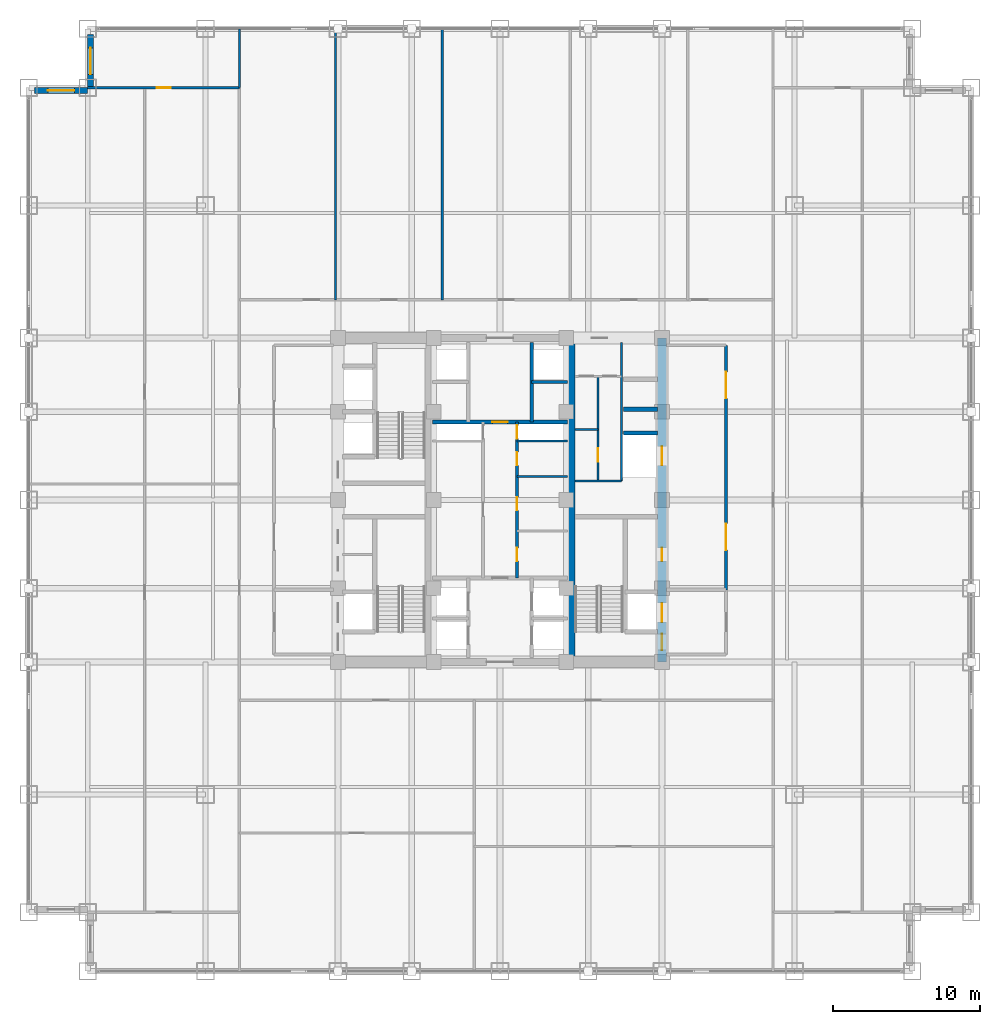
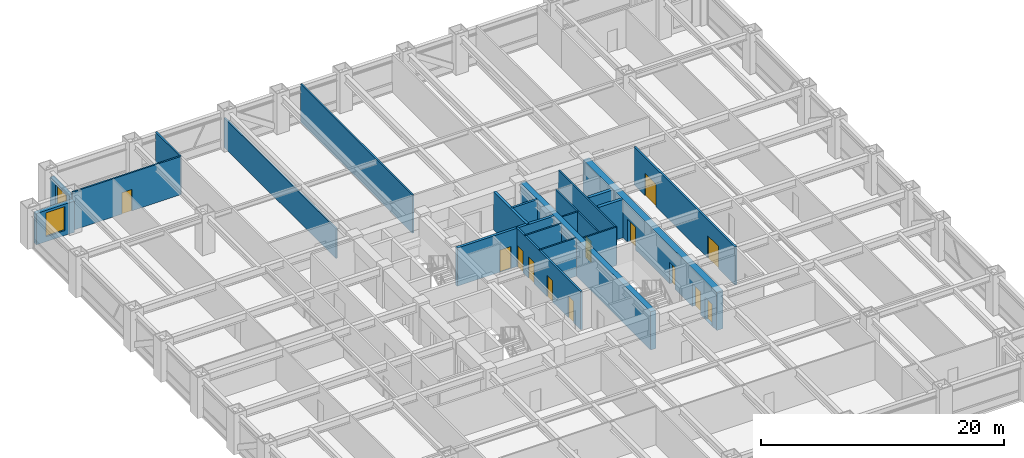
# One storey, part 25 of 27: 21 walls, 13 doors, 2 windows, 15 openings.
"""IFC4 building model written with IfcOpenShell, lengths in metres."""

from ifc_helpers import new_model, si_unit, direction, frame, frame_2d, origin, place, context, subcontext, project, spatial, rectangle, extrude, source, transform, mapped, material, layer, layer_set, type_object, element, fill, save


model = new_model("IFC4")

# Units and contexts
model_context = context("Model", 3, precision=1e-05, world=origin(), true_north=direction((0.0, 1.0)))
body_context = subcontext(model_context, "Body", "Model", "MODEL_VIEW")
ifc_project = project(units=[si_unit("LENGTHUNIT", "METRE"), si_unit("AREAUNIT", "SQUARE_METRE"), si_unit("VOLUMEUNIT", "CUBIC_METRE"), si_unit("PLANEANGLEUNIT", "RADIAN"), si_unit("MASSUNIT", "GRAM", prefix="KILO")], contexts=[model_context])

# Site, building, storey
site_placement = place(None, origin())
site = spatial("IfcSite", under=ifc_project, at=site_placement, CompositionType="ELEMENT")
building_placement = place(site_placement, origin())
building = spatial("IfcBuilding", under=site, at=building_placement, Name="Khorayat Bourse Tower", CompositionType="ELEMENT")
storey_placement = place(building_placement, frame((0.0, 0.0, 140.60009765625)))
storey = spatial("IfcBuildingStorey", under=building, at=storey_placement, Name="L32", CompositionType="ELEMENT", Elevation=140.60009765625)

# Wall, openings, doors
ifc_material_1 = material(Name="Concrete C60/75", Category="concrete")
ifc_layer_1 = layer(ifc_material_1, 0.60009765625)
ifc_layer_set_1 = layer_set([ifc_layer_1], Name="Concrete C60/75")
wall_type_1 = type_object("IfcWallType", Name="WAL-CORE-600", PredefinedType="SHEAR", material=ifc_layer_set_1)
shared_shape_1 = source(origin(), body_context, "Body", "SweptSolid", [
    extrude(rectangle(XDim=22.0, YDim=0.60009765625, at=frame_2d((11.0, 0.0))), origin(), (0.0, 0.0, 1.0), 3.83984375),
])
wall_1_placement = place(storey_placement, frame((11.0, -11.0, 0.0), z_axis=(0.0, 0.0, 1.0), x_axis=(0.0, 1.0, 0.0)))
wall_1 = element("IfcWall", 1, at=wall_1_placement, inside=storey, type_object=wall_type_1, Name="L32 Core Shear Wall CORE-E", PredefinedType="SHEAR", context=body_context, shape_type="MappedRepresentation", body=[
    mapped(shared_shape_1, transform((0.0, 0.0, 0.0), scale=1.0)),
])
shared_shape_2 = source(origin(), body_context, "Body", "SweptSolid", [
    extrude(rectangle(XDim=1.10009765625, YDim=2.199951171875, at=frame_2d((0.550048828125, 1.10009765625))), frame((0.0, 0.31005859375, 0.0), z_axis=(0.0, -1.0, 0.0), x_axis=(1.0, 0.0, 0.0)), (0.0, 0.0, 1.0), 0.6201171875),
])
opening_1_placement = place(wall_1_placement, frame((0.800048828125, 0.0, 0.0)))
opening_1 = element("IfcOpeningElement", 2, at=opening_1_placement, cuts=wall_1, Name="Opening DI-01", PredefinedType="OPENING", context=body_context, shape_type="MappedRepresentation", body=[
    mapped(shared_shape_2, transform((0.0, 0.0, 0.0), scale=1.0)),
])
shared_shape_3 = source(origin(), body_context, "Body", "SweptSolid", [
    extrude(rectangle(XDim=0.89990234375, YDim=2.14990234375, at=frame_2d((0.449951171875, 1.074951171875))), frame((0.0, 0.31005859375, 0.0), z_axis=(0.0, -1.0, 0.0), x_axis=(1.0, 0.0, 0.0)), (0.0, 0.0, 1.0), 0.6201171875),
])
opening_2_placement = place(wall_1_placement, frame((6.85009765625, 0.0, 0.0)))
opening_2 = element("IfcOpeningElement", 3, at=opening_2_placement, cuts=wall_1, Name="Opening DI-06", PredefinedType="OPENING", context=body_context, shape_type="MappedRepresentation", body=[
    mapped(shared_shape_3, transform((0.0, 0.0, 0.0), scale=1.0)),
])
shared_shape_4 = source(origin(), body_context, "Body", "SweptSolid", [
    extrude(rectangle(XDim=1.300048828125, YDim=2.300048828125, at=frame_2d((0.64990234375, 1.14990234375))), frame((0.0, 0.31005859375, 0.0), z_axis=(0.0, -1.0, 0.0), x_axis=(1.0, 0.0, 0.0)), (0.0, 0.0, 1.0), 0.6201171875),
])
opening_3_placement = place(wall_1_placement, frame((2.699951171875, 0.0, 0.0)))
opening_3 = element("IfcOpeningElement", 4, at=opening_3_placement, cuts=wall_1, Name="Opening LD-02", PredefinedType="OPENING", context=body_context, shape_type="MappedRepresentation", body=[
    mapped(shared_shape_4, transform((0.0, 0.0, 0.0), scale=1.0)),
])
opening_4_placement = place(wall_1_placement, frame((13.35009765625, 0.0, 0.0)))
opening_4 = element("IfcOpeningElement", 5, at=opening_4_placement, cuts=wall_1, Name="Opening LD-02", PredefinedType="OPENING", context=body_context, shape_type="MappedRepresentation", body=[
    mapped(shared_shape_4, transform((0.0, 0.0, 0.0), scale=1.0)),
])
ifc_material_2 = material(Name="Fire-rated steel acoustic leaf", Category="steel")
door_type_1 = type_object("IfcDoorType", Name="DR-INT-STAIR-1100", OperationType="NOTDEFINED", PredefinedType="DOOR", material=ifc_material_2)
shared_shape_5 = source(origin(), body_context, "Body", "SweptSolid", [
    extrude(rectangle(XDim=1.10009765625, YDim=2.199951171875, at=frame_2d((0.550048828125, 1.10009765625))), frame((0.0, 0.02490234375, 0.0), z_axis=(0.0, -1.0, 0.0), x_axis=(1.0, 0.0, 0.0)), (0.0, 0.0, 1.0), 0.050048828125),
])
door_1_placement = place(opening_1_placement, origin())
door_1 = element("IfcDoor", 6, at=door_1_placement, inside=storey, type_object=door_type_1, Name="L32 Exit Stair 3 Door", OperationType="SINGLE_SWING_LEFT", OverallHeight=2.199951171875, OverallWidth=1.10009765625, PredefinedType="DOOR", context=body_context, shape_type="MappedRepresentation", body=[
    mapped(shared_shape_5, transform((0.0, 0.0, 0.0), scale=1.0)),
])
fill(opening_1, door_1)
ifc_material_3 = material(Name="Moisture-resistant laminate washroom door")
door_type_2 = type_object("IfcDoorType", Name="DR-INT-WC-900", OperationType="NOTDEFINED", PredefinedType="DOOR", material=ifc_material_3)
shared_shape_6 = source(origin(), body_context, "Body", "SweptSolid", [
    extrude(rectangle(XDim=0.89990234375, YDim=2.14990234375, at=frame_2d((0.449951171875, 1.074951171875))), frame((0.0, 0.02490234375, 0.0), z_axis=(0.0, -1.0, 0.0), x_axis=(1.0, 0.0, 0.0)), (0.0, 0.0, 1.0), 0.050048828125),
])
door_2_placement = place(opening_2_placement, origin())
door_2 = element("IfcDoor", 7, at=door_2_placement, inside=storey, type_object=door_type_2, Name="L32 Telecom Server Plant Room Door", OperationType="SINGLE_SWING_LEFT", OverallHeight=2.14990234375, OverallWidth=0.89990234375, PredefinedType="DOOR", context=body_context, shape_type="MappedRepresentation", body=[
    mapped(shared_shape_6, transform((0.0, 0.0, 0.0), scale=1.0)),
])
fill(opening_2, door_2)
ifc_material_4 = material(Name="Fire-rated stainless-steel sliding landing door", Category="steel")
door_type_3 = type_object("IfcDoorType", Name="DR-LIFT-FF-1300", OperationType="NOTDEFINED", PredefinedType="DOOR", material=ifc_material_4)
shared_shape_7 = source(origin(), body_context, "Body", "SweptSolid", [
    extrude(rectangle(XDim=1.300048828125, YDim=2.300048828125, at=frame_2d((0.64990234375, 1.14990234375))), frame((0.0, 0.02490234375, 0.0), z_axis=(0.0, -1.0, 0.0), x_axis=(1.0, 0.0, 0.0)), (0.0, 0.0, 1.0), 0.050048828125),
])
door_3_placement = place(opening_3_placement, origin())
door_3 = element("IfcDoor", 8, at=door_3_placement, inside=storey, type_object=door_type_3, Name="L32 Lift FFL-02 Sliding Landing Door", OperationType="SLIDING_TO_LEFT", OverallHeight=2.300048828125, OverallWidth=1.300048828125, PredefinedType="DOOR", context=body_context, shape_type="MappedRepresentation", body=[
    mapped(shared_shape_7, transform((0.0, 0.0, 0.0), scale=1.0)),
])
fill(opening_3, door_3)
door_4_placement = place(opening_4_placement, origin())
door_4 = element("IfcDoor", 9, at=door_4_placement, inside=storey, type_object=door_type_3, Name="L32 Lift SVL-01 Sliding Landing Door", OperationType="SLIDING_TO_LEFT", OverallHeight=2.300048828125, OverallWidth=1.300048828125, PredefinedType="DOOR", context=body_context, shape_type="MappedRepresentation", body=[
    mapped(shared_shape_7, transform((0.0, 0.0, 0.0), scale=1.0)),
])
fill(opening_4, door_4)

# Wall
ifc_material_5 = material(Name="Concrete C52/65", Category="concrete")
ifc_layer_2 = layer(ifc_material_5, 0.5)
ifc_layer_set_2 = layer_set([ifc_layer_2], Name="Concrete C52/65")
wall_type_2 = type_object("IfcWallType", Name="WAL-CORE-500", PredefinedType="SHEAR", material=ifc_layer_set_2)
shared_shape_8 = source(origin(), body_context, "Body", "SweptSolid", [
    extrude(rectangle(XDim=21.39990234375, YDim=0.5, at=frame_2d((10.699951171875, 0.0))), origin(), (0.0, 0.0, 1.0), 3.83984375),
])
wall_2_placement = place(storey_placement, frame((4.85009765625, -10.699951171875, 0.0), z_axis=(0.0, 0.0, 1.0), x_axis=(0.0, 1.0, 0.0)))
element("IfcWall", 10, at=wall_2_placement, inside=storey, type_object=wall_type_2, Name="L32 Core Shear Wall PIER-E", PredefinedType="SHEAR", context=body_context, shape_type="MappedRepresentation", body=[
    mapped(shared_shape_8, transform((0.0, 0.0, 0.0), scale=1.0)),
])

# Wall, opening, window
ifc_material_6 = material(Name="Precast concrete C45/55", Category="concrete")
ifc_layer_3 = layer(ifc_material_6, 0.3798828125)
ifc_layer_set_3 = layer_set([ifc_layer_3], Name="Precast concrete C45/55")
wall_type_3 = type_object("IfcWallType", Name="WAL-EXT-STONE-380", PredefinedType="STANDARD", material=ifc_layer_set_3)
shared_shape_9 = source(origin(), body_context, "Body", "SweptSolid", [
    extrude(rectangle(XDim=3.6201171875, YDim=0.3798828125, at=frame_2d((1.81005859375, 0.0))), origin(), (0.0, 0.0, 1.0), 3.14501953125),
])
wall_3_placement = place(storey_placement, frame((-27.81005859375, 28.0, 0.0), z_axis=(0.0, 0.0, 1.0), x_axis=(0.0, 1.0, 0.0)))
wall_3 = element("IfcWall", 11, at=wall_3_placement, inside=storey, type_object=wall_type_3, Name="L32 Re-Entrant Notch Limestone Wall NW-V", PredefinedType="STANDARD", context=body_context, shape_type="MappedRepresentation", body=[
    mapped(shared_shape_9, transform((0.0, 0.0, 0.0), scale=1.0)),
])
shared_shape_10 = source(origin(), body_context, "Body", "SweptSolid", [
    extrude(rectangle(XDim=1.800048828125, YDim=2.39990234375, at=frame_2d((0.89990234375, 1.199951171875))), frame((0.0, 0.199951171875, 0.0), z_axis=(0.0, -1.0, 0.0), x_axis=(1.0, 0.0, 0.0)), (0.0, 0.0, 1.0), 0.39990234375),
])
opening_5_placement = place(wall_3_placement, frame((0.909912109375, 0.0, 0.5)))
opening_5 = element("IfcOpeningElement", 12, at=opening_5_placement, cuts=wall_3, Name="Opening WN-04", PredefinedType="OPENING", context=body_context, shape_type="MappedRepresentation", body=[
    mapped(shared_shape_10, transform((0.0, 0.0, 0.0), scale=1.0)),
])
ifc_material_7 = material(Name="Low-E acoustic laminated double glazing", Category="glass")
window_type = type_object("IfcWindowType", Name="WIN-NOTCH-1800x2400", PartitioningType="SINGLE_PANEL", PredefinedType="WINDOW", material=ifc_material_7)
shared_shape_11 = source(origin(), body_context, "Body", "SweptSolid", [
    extrude(rectangle(XDim=1.800048828125, YDim=2.39990234375, at=frame_2d((0.89990234375, 1.199951171875))), frame((0.0, 0.030029296875, 0.0), z_axis=(0.0, -1.0, 0.0), x_axis=(1.0, 0.0, 0.0)), (0.0, 0.0, 1.0), 0.06005859375),
])
window_1_placement = place(opening_5_placement, origin())
window_1 = element("IfcWindow", 13, at=window_1_placement, inside=storey, type_object=window_type, Name="L32 Facade Window 1", OverallHeight=2.39990234375, OverallWidth=1.800048828125, PartitioningType="SINGLE_PANEL", PredefinedType="WINDOW", context=body_context, shape_type="MappedRepresentation", body=[
    mapped(shared_shape_11, transform((0.0, 0.0, 0.0), scale=1.0)),
])
fill(opening_5, window_1)

wall_4_placement = place(storey_placement, frame((-28.0, 27.81005859375, 0.0), z_axis=(0.0, 0.0, 1.0), x_axis=(-1.0, 0.0, 0.0)))
wall_4 = element("IfcWall", 14, at=wall_4_placement, inside=storey, type_object=wall_type_3, Name="L32 Re-Entrant Notch Limestone Wall NW-H", PredefinedType="STANDARD", context=body_context, shape_type="MappedRepresentation", body=[
    mapped(shared_shape_9, transform((0.0, 0.0, 0.0), scale=1.0)),
])
opening_6_placement = place(wall_4_placement, frame((0.909912109375, 0.0, 0.5)))
opening_6 = element("IfcOpeningElement", 15, at=opening_6_placement, cuts=wall_4, Name="Opening WN-04", PredefinedType="OPENING", context=body_context, shape_type="MappedRepresentation", body=[
    mapped(shared_shape_10, transform((0.0, 0.0, 0.0), scale=1.0)),
])
window_2_placement = place(opening_6_placement, origin())
window_2 = element("IfcWindow", 16, at=window_2_placement, inside=storey, type_object=window_type, Name="L32 Facade Window 1", OverallHeight=2.39990234375, OverallWidth=1.800048828125, PartitioningType="SINGLE_PANEL", PredefinedType="WINDOW", context=body_context, shape_type="MappedRepresentation", body=[
    mapped(shared_shape_11, transform((0.0, 0.0, 0.0), scale=1.0)),
])
fill(opening_6, window_2)

# Walls
ifc_material_8 = material(Name="Concrete C50/60", Category="concrete")
ifc_layer_4 = layer(ifc_material_8, 0.300048828125)
ifc_layer_set_4 = layer_set([ifc_layer_4], Name="Concrete C50/60")
wall_type_4 = type_object("IfcWallType", Name="WAL-SHAFT-300", PredefinedType="SHEAR", material=ifc_layer_set_4)
shared_shape_12 = source(origin(), body_context, "Body", "SweptSolid", [
    extrude(rectangle(XDim=2.300048828125, YDim=0.300048828125, at=frame_2d((1.14990234375, 0.0))), origin(), (0.0, 0.0, 1.0), 3.83984375),
])
for number, where, z_axis, x_axis, name in (
    (17, (8.39990234375, 4.550048828125, 0.0), (0.0, 0.0, 1.0), (1.0, 0.0, 0.0), "L32 Partition WAL-L32-EPIER-SVLN"),
    (18, (8.39990234375, 6.14990234375, 0.0), (0.0, 0.0, 1.0), (1.0, 0.0, 0.0), "L32 Partition WAL-L32-EPIER-H3S"),
):
    element("IfcWall", number, at=place(storey_placement, frame(where, z_axis=z_axis, x_axis=x_axis)), inside=storey, type_object=wall_type_4, Name=name, PredefinedType="SHEAR", context=body_context, shape_type="MappedRepresentation", body=[
        mapped(shared_shape_12, transform((0.0, 0.0, 0.0), scale=1.0)),
    ])
ifc_material_9 = material(Name="Moisture-resistant masonry partition", Category="masonry")
ifc_layer_5 = layer(ifc_material_9, 0.139892578125)
ifc_layer_set_5 = layer_set([ifc_layer_5], Name="Moisture-resistant masonry partition")
wall_type_5 = type_object("IfcWallType", Name="WAL-PART-WET-140", PredefinedType="PARTITIONING", material=ifc_layer_set_5)
shared_shape_13 = source(origin(), body_context, "Body", "SweptSolid", [
    extrude(rectangle(XDim=9.39990234375, YDim=0.139892578125, at=frame_2d((4.699951171875, 0.0))), origin(), (0.0, 0.0, 1.0), 3.83984375),
])
wall_5_placement = place(storey_placement, frame((8.25, 1.300048828125, 0.0), z_axis=(0.0, 0.0, 1.0), x_axis=(0.0, 1.0, 0.0)))
element("IfcWall", 19, at=wall_5_placement, inside=storey, type_object=wall_type_5, Name="L32 Partition WAL-L32-ECORE-E", PredefinedType="PARTITIONING", context=body_context, shape_type="MappedRepresentation", body=[
    mapped(shared_shape_13, transform((0.0, 0.0, 0.0), scale=1.0)),
])
shared_shape_14 = source(origin(), body_context, "Body", "SweptSolid", [
    extrude(rectangle(XDim=3.14990234375, YDim=0.139892578125, at=frame_2d((1.574951171875, 0.0))), origin(), (0.0, 0.0, 1.0), 3.83984375),
])
wall_6_placement = place(storey_placement, frame((5.10009765625, 1.300048828125, 0.0), z_axis=(0.0, 0.0, 1.0), x_axis=(1.0, 0.0, 0.0)))
element("IfcWall", 20, at=wall_6_placement, inside=storey, type_object=wall_type_5, Name="L32 Partition WAL-L32-ECORE-S", PredefinedType="PARTITIONING", context=body_context, shape_type="MappedRepresentation", body=[
    mapped(shared_shape_14, transform((0.0, 0.0, 0.0), scale=1.0)),
])

# Wall, opening, door
shared_shape_15 = source(origin(), body_context, "Body", "SweptSolid", [
    extrude(rectangle(XDim=7.099853515625, YDim=0.139892578125, at=frame_2d((3.5498046875, 0.0))), origin(), (0.0, 0.0, 1.0), 3.83984375),
])
wall_7_placement = place(storey_placement, frame((6.64990234375, 1.300048828125, 0.0), z_axis=(0.0, 0.0, 1.0), x_axis=(0.0, 1.0, 0.0)))
wall_7 = element("IfcWall", 21, at=wall_7_placement, inside=storey, type_object=wall_type_5, Name="L32 Partition WAL-L32-ECW-MID", PredefinedType="PARTITIONING", context=body_context, shape_type="MappedRepresentation", body=[
    mapped(shared_shape_15, transform((0.0, 0.0, 0.0), scale=1.0)),
])
shared_shape_16 = source(origin(), body_context, "Body", "SweptSolid", [
    extrude(rectangle(XDim=0.89990234375, YDim=2.14990234375, at=frame_2d((0.449951171875, 1.074951171875))), frame((0.0, 0.079833984375, 0.0), z_axis=(0.0, -1.0, 0.0), x_axis=(1.0, 0.0, 0.0)), (0.0, 0.0, 1.0), 0.159912109375),
])
opening_7_placement = place(wall_7_placement, frame((1.300048828125, 0.0, 0.0)))
opening_7 = element("IfcOpeningElement", 22, at=opening_7_placement, cuts=wall_7, Name="Opening DI-06", PredefinedType="OPENING", context=body_context, shape_type="MappedRepresentation", body=[
    mapped(shared_shape_16, transform((0.0, 0.0, 0.0), scale=1.0)),
])
door_5_placement = place(opening_7_placement, origin())
door_5 = element("IfcDoor", 23, at=door_5_placement, inside=storey, type_object=door_type_2, Name="L32 Janitor Store Door", OperationType="SINGLE_SWING_LEFT", OverallHeight=2.14990234375, OverallWidth=0.89990234375, PredefinedType="DOOR", context=body_context, shape_type="MappedRepresentation", body=[
    mapped(shared_shape_6, transform((0.0, 0.0, 0.0), scale=1.0)),
])
fill(opening_7, door_5)

# Wall
shared_shape_17 = source(origin(), body_context, "Body", "SweptSolid", [
    extrude(rectangle(XDim=1.5498046875, YDim=0.139892578125, at=frame_2d((0.77490234375, 0.0))), origin(), (0.0, 0.0, 1.0), 3.83984375),
])
wall_8_placement = place(storey_placement, frame((5.10009765625, 4.800048828125, 0.0), z_axis=(0.0, 0.0, 1.0), x_axis=(1.0, 0.0, 0.0)))
element("IfcWall", 24, at=wall_8_placement, inside=storey, type_object=wall_type_5, Name="L32 Partition WAL-L32-ECW-BOT", PredefinedType="PARTITIONING", context=body_context, shape_type="MappedRepresentation", body=[
    mapped(shared_shape_17, transform((0.0, 0.0, 0.0), scale=1.0)),
])

# Wall, openings, doors
ifc_material_10 = material(Name="Gypsum plasterboard acoustic stud wall")
ifc_layer_6 = layer(ifc_material_10, 0.179931640625)
ifc_layer_set_6 = layer_set([ifc_layer_6], Name="Gypsum plasterboard acoustic stud wall")
wall_type_6 = type_object("IfcWallType", Name="WAL-PART-CORR-180", PredefinedType="PARTITIONING", material=ifc_layer_set_6)
shared_shape_18 = source(origin(), body_context, "Body", "SweptSolid", [
    extrude(rectangle(XDim=16.60009765625, YDim=0.179931640625, at=frame_2d((8.300048828125, 0.0))), origin(), (0.0, 0.0, 1.0), 3.83984375),
])
wall_9_placement = place(storey_placement, frame((15.35009765625, -6.10009765625, 0.0), z_axis=(0.0, 0.0, 1.0), x_axis=(0.0, 1.0, 0.0)))
wall_9 = element("IfcWall", 25, at=wall_9_placement, inside=storey, type_object=wall_type_6, Name="L32 Partition WAL-L32-ELOB-E", PredefinedType="PARTITIONING", context=body_context, shape_type="MappedRepresentation", body=[
    mapped(shared_shape_18, transform((0.0, 0.0, 0.0), scale=1.0)),
])
shared_shape_19 = source(origin(), body_context, "Body", "SweptSolid", [
    extrude(rectangle(XDim=1.800048828125, YDim=2.25, at=frame_2d((0.89990234375, 1.125))), frame((0.0, 0.099853515625, 0.0), z_axis=(0.0, -1.0, 0.0), x_axis=(1.0, 0.0, 0.0)), (0.0, 0.0, 1.0), 0.199951171875),
])
opening_8_placement = place(wall_9_placement, frame((2.699951171875, 0.0, 0.0)))
opening_8 = element("IfcOpeningElement", 26, at=opening_8_placement, cuts=wall_9, Name="Opening DI-03", PredefinedType="OPENING", context=body_context, shape_type="MappedRepresentation", body=[
    mapped(shared_shape_19, transform((0.0, 0.0, 0.0), scale=1.0)),
])
opening_9_placement = place(wall_9_placement, frame((13.0, 0.0, 0.0)))
opening_9 = element("IfcOpeningElement", 27, at=opening_9_placement, cuts=wall_9, Name="Opening DI-03", PredefinedType="OPENING", context=body_context, shape_type="MappedRepresentation", body=[
    mapped(shared_shape_19, transform((0.0, 0.0, 0.0), scale=1.0)),
])
ifc_material_11 = material(Name="Fire-rated hardwood vision-panel double leaf", Category="wood")
door_type_4 = type_object("IfcDoorType", Name="DR-INT-CORR-1800", OperationType="NOTDEFINED", PredefinedType="DOOR", material=ifc_material_11)
shared_shape_20 = source(origin(), body_context, "Body", "SweptSolid", [
    extrude(rectangle(XDim=1.800048828125, YDim=2.25, at=frame_2d((0.89990234375, 1.125))), frame((0.0, 0.02490234375, 0.0), z_axis=(0.0, -1.0, 0.0), x_axis=(1.0, 0.0, 0.0)), (0.0, 0.0, 1.0), 0.050048828125),
])
door_6_placement = place(opening_8_placement, origin())
door_6 = element("IfcDoor", 28, at=door_6_placement, inside=storey, type_object=door_type_4, Name="L32 East Core Lobby South Door", OperationType="SINGLE_SWING_RIGHT", OverallHeight=2.25, OverallWidth=1.800048828125, PredefinedType="DOOR", context=body_context, shape_type="MappedRepresentation", body=[
    mapped(shared_shape_20, transform((0.0, 0.0, 0.0), scale=1.0)),
])
fill(opening_8, door_6)
door_7_placement = place(opening_9_placement, origin())
door_7 = element("IfcDoor", 29, at=door_7_placement, inside=storey, type_object=door_type_4, Name="L32 East Core Lobby North Door", OperationType="SINGLE_SWING_LEFT", OverallHeight=2.25, OverallWidth=1.800048828125, PredefinedType="DOOR", context=body_context, shape_type="MappedRepresentation", body=[
    mapped(shared_shape_20, transform((0.0, 0.0, 0.0), scale=1.0)),
])
fill(opening_9, door_7)

# Walls
ifc_material_12 = material(Name="Gypsum plasterboard twin-frame partition")
ifc_layer_7 = layer(ifc_material_12, 0.14990234375)
ifc_layer_set_7 = layer_set([ifc_layer_7], Name="Gypsum plasterboard twin-frame partition")
wall_type_7 = type_object("IfcWallType", Name="WAL-PART-SUITE-150", PredefinedType="PARTITIONING", material=ifc_layer_set_7)
shared_shape_21 = source(origin(), body_context, "Body", "SweptSolid", [
    extrude(rectangle(XDim=3.4501953125, YDim=0.14990234375, at=frame_2d((1.72509765625, 0.0))), origin(), (0.0, 0.0, 1.0), 3.83984375),
])
wall_10_placement = place(storey_placement, frame((1.14990234375, 4.0, 0.0), z_axis=(0.0, 0.0, 1.0), x_axis=(1.0, 0.0, 0.0)))
element("IfcWall", 30, at=wall_10_placement, inside=storey, type_object=wall_type_7, Name="L32 Partition WAL-L32-CRSE-S", PredefinedType="PARTITIONING", context=body_context, shape_type="MappedRepresentation", body=[
    mapped(shared_shape_21, transform((0.0, 0.0, 0.0), scale=1.0)),
])
shared_shape_22 = source(origin(), body_context, "Body", "SweptSolid", [
    extrude(rectangle(XDim=5.39990234375, YDim=0.25, at=frame_2d((2.699951171875, 0.0))), origin(), (0.0, 0.0, 1.0), 3.83984375),
])
wall_11_placement = place(storey_placement, frame((2.14990234375, 5.300048828125, 0.0), z_axis=(0.0, 0.0, 1.0), x_axis=(0.0, 1.0, 0.0)))
element("IfcWall", 31, at=wall_11_placement, inside=storey, type_object=wall_type_4, Name="L32 Partition WAL-L32-B2-E", PredefinedType="SHEAR", context=body_context, shape_type="MappedRepresentation", body=[
    mapped(shared_shape_22, transform((0.0, 0.0, 0.0), scale=1.0)),
])
shared_shape_23 = source(origin(), body_context, "Body", "SweptSolid", [
    extrude(rectangle(XDim=2.4501953125, YDim=0.199951171875, at=frame_2d((1.22509765625, 0.0))), origin(), (0.0, 0.0, 1.0), 3.83984375),
])
wall_12_placement = place(storey_placement, frame((2.14990234375, 8.0, 0.0), z_axis=(0.0, 0.0, 1.0), x_axis=(1.0, 0.0, 0.0)))
element("IfcWall", 32, at=wall_12_placement, inside=storey, type_object=wall_type_4, Name="L32 Partition WAL-L32-B2-ME", PredefinedType="SHEAR", context=body_context, shape_type="MappedRepresentation", body=[
    mapped(shared_shape_23, transform((0.0, 0.0, 0.0), scale=1.0)),
])

# Wall, opening, door
shared_shape_24 = source(origin(), body_context, "Body", "SweptSolid", [
    extrude(rectangle(XDim=9.2001953125, YDim=0.25, at=frame_2d((4.60009765625, 0.0))), origin(), (0.0, 0.0, 1.0), 3.83984375),
])
wall_13_placement = place(storey_placement, frame((-4.60009765625, 5.300048828125, 0.0), z_axis=(0.0, 0.0, 1.0), x_axis=(1.0, 0.0, 0.0)))
wall_13 = element("IfcWall", 33, at=wall_13_placement, inside=storey, type_object=wall_type_4, Name="L32 Partition WAL-L32-B2-S", PredefinedType="SHEAR", context=body_context, shape_type="MappedRepresentation", body=[
    mapped(shared_shape_24, transform((0.0, 0.0, 0.0), scale=1.0)),
])
shared_shape_25 = source(origin(), body_context, "Body", "SweptSolid", [
    extrude(rectangle(XDim=1.050048828125, YDim=2.199951171875, at=frame_2d((0.52490234375, 1.10009765625))), frame((0.0, 0.135009765625, 0.0), z_axis=(0.0, -1.0, 0.0), x_axis=(1.0, 0.0, 0.0)), (0.0, 0.0, 1.0), 0.27001953125),
])
opening_10_placement = place(wall_13_placement, frame((4.074951171875, 0.0, 0.0)))
opening_10 = element("IfcOpeningElement", 34, at=opening_10_placement, cuts=wall_13, Name="Opening DI-04", PredefinedType="OPENING", context=body_context, shape_type="MappedRepresentation", body=[
    mapped(shared_shape_25, transform((0.0, 0.0, 0.0), scale=1.0)),
])
ifc_material_13 = material(Name="Fire-rated oak veneer suite entrance door")
door_type_5 = type_object("IfcDoorType", Name="DR-INT-SUITE-1050", OperationType="NOTDEFINED", PredefinedType="DOOR", material=ifc_material_13)
shared_shape_26 = source(origin(), body_context, "Body", "SweptSolid", [
    extrude(rectangle(XDim=1.050048828125, YDim=2.199951171875, at=frame_2d((0.52490234375, 1.10009765625))), frame((0.0, 0.02490234375, 0.0), z_axis=(0.0, -1.0, 0.0), x_axis=(1.0, 0.0, 0.0)), (0.0, 0.0, 1.0), 0.050048828125),
])
door_8_placement = place(opening_10_placement, origin())
door_8 = element("IfcDoor", 35, at=door_8_placement, inside=storey, type_object=door_type_5, Name="L32 Core Spine North Door", OperationType="SINGLE_SWING_RIGHT", OverallHeight=2.199951171875, OverallWidth=1.050048828125, PredefinedType="DOOR", context=body_context, shape_type="MappedRepresentation", body=[
    mapped(shared_shape_26, transform((0.0, 0.0, 0.0), scale=1.0)),
])
fill(opening_10, door_8)

# Wall, openings, doors
shared_shape_27 = source(origin(), body_context, "Body", "SweptSolid", [
    extrude(rectangle(XDim=10.60009765625, YDim=0.179931640625, at=frame_2d((5.300048828125, 0.0))), origin(), (0.0, 0.0, 1.0), 3.83984375),
])
wall_14_placement = place(storey_placement, frame((1.14990234375, -5.300048828125, 0.0), z_axis=(0.0, 0.0, 1.0), x_axis=(0.0, 1.0, 0.0)))
wall_14 = element("IfcWall", 36, at=wall_14_placement, inside=storey, type_object=wall_type_6, Name="L32 Partition WAL-L32-CME-L", PredefinedType="PARTITIONING", context=body_context, shape_type="MappedRepresentation", body=[
    mapped(shared_shape_27, transform((0.0, 0.0, 0.0), scale=1.0)),
])
shared_shape_28 = source(origin(), body_context, "Body", "SweptSolid", [
    extrude(rectangle(XDim=0.89990234375, YDim=2.14990234375, at=frame_2d((0.449951171875, 1.074951171875))), frame((0.0, 0.099853515625, 0.0), z_axis=(0.0, -1.0, 0.0), x_axis=(1.0, 0.0, 0.0)), (0.0, 0.0, 1.0), 0.199951171875),
])
opening_11_placement = place(wall_14_placement, frame((1.14990234375, 0.0, 0.0)))
opening_11 = element("IfcOpeningElement", 37, at=opening_11_placement, cuts=wall_14, Name="Opening DI-06", PredefinedType="OPENING", context=body_context, shape_type="MappedRepresentation", body=[
    mapped(shared_shape_28, transform((0.0, 0.0, 0.0), scale=1.0)),
])
opening_12_placement = place(wall_14_placement, frame((4.60009765625, 0.0, 0.0)))
opening_12 = element("IfcOpeningElement", 38, at=opening_12_placement, cuts=wall_14, Name="Opening DI-06", PredefinedType="OPENING", context=body_context, shape_type="MappedRepresentation", body=[
    mapped(shared_shape_28, transform((0.0, 0.0, 0.0), scale=1.0)),
])
opening_13_placement = place(wall_14_placement, frame((7.64990234375, 0.0, 0.0)))
opening_13 = element("IfcOpeningElement", 39, at=opening_13_placement, cuts=wall_14, Name="Opening DI-06", PredefinedType="OPENING", context=body_context, shape_type="MappedRepresentation", body=[
    mapped(shared_shape_28, transform((0.0, 0.0, 0.0), scale=1.0)),
])
opening_14_placement = place(wall_14_placement, frame((9.47509765625, 0.0, 0.0)))
opening_14 = element("IfcOpeningElement", 40, at=opening_14_placement, cuts=wall_14, Name="Opening DI-06", PredefinedType="OPENING", context=body_context, shape_type="MappedRepresentation", body=[
    mapped(shared_shape_28, transform((0.0, 0.0, 0.0), scale=1.0)),
])
door_9_placement = place(opening_11_placement, origin())
door_9 = element("IfcDoor", 41, at=door_9_placement, inside=storey, type_object=door_type_2, Name="L32 Female Core Washroom Door", OperationType="SINGLE_SWING_RIGHT", OverallHeight=2.14990234375, OverallWidth=0.89990234375, PredefinedType="DOOR", context=body_context, shape_type="MappedRepresentation", body=[
    mapped(shared_shape_6, transform((0.0, 0.0, 0.0), scale=1.0)),
])
fill(opening_11, door_9)
door_10_placement = place(opening_12_placement, origin())
door_10 = element("IfcDoor", 42, at=door_10_placement, inside=storey, type_object=door_type_2, Name="L32 Cleaners Store Door", OperationType="SINGLE_SWING_LEFT", OverallHeight=2.14990234375, OverallWidth=0.89990234375, PredefinedType="DOOR", context=body_context, shape_type="MappedRepresentation", body=[
    mapped(shared_shape_6, transform((0.0, 0.0, 0.0), scale=1.0)),
])
fill(opening_12, door_10)
door_11_placement = place(opening_13_placement, origin())
door_11 = element("IfcDoor", 43, at=door_11_placement, inside=storey, type_object=door_type_2, Name="L32 Meter and BMS Plant Room Door", OperationType="SINGLE_SWING_RIGHT", OverallHeight=2.14990234375, OverallWidth=0.89990234375, PredefinedType="DOOR", context=body_context, shape_type="MappedRepresentation", body=[
    mapped(shared_shape_6, transform((0.0, 0.0, 0.0), scale=1.0)),
])
fill(opening_13, door_11)
door_12_placement = place(opening_14_placement, origin())
door_12 = element("IfcDoor", 44, at=door_12_placement, inside=storey, type_object=door_type_2, Name="L32 East Core Riser Door", OperationType="SINGLE_SWING_RIGHT", OverallHeight=2.14990234375, OverallWidth=0.89990234375, PredefinedType="DOOR", context=body_context, shape_type="MappedRepresentation", body=[
    mapped(shared_shape_6, transform((0.0, 0.0, 0.0), scale=1.0)),
])
fill(opening_14, door_12)

# Walls
shared_shape_29 = source(origin(), body_context, "Body", "SweptSolid", [
    extrude(rectangle(XDim=3.4501953125, YDim=0.139892578125, at=frame_2d((1.72509765625, 0.0))), origin(), (0.0, 0.0, 1.0), 3.83984375),
])
wall_15_placement = place(storey_placement, frame((1.14990234375, 1.60009765625, 0.0), z_axis=(0.0, 0.0, 1.0), x_axis=(1.0, 0.0, 0.0)))
element("IfcWall", 45, at=wall_15_placement, inside=storey, type_object=wall_type_5, Name="L32 Partition WAL-L32-CME-D2", PredefinedType="PARTITIONING", context=body_context, shape_type="MappedRepresentation", body=[
    mapped(shared_shape_29, transform((0.0, 0.0, 0.0), scale=1.0)),
])
shared_shape_30 = source(origin(), body_context, "Body", "SweptSolid", [
    extrude(rectangle(XDim=4.0, YDim=0.14990234375, at=frame_2d((2.0, 0.0))), origin(), (0.0, 0.0, 1.0), 3.83984375),
])
wall_16_placement = place(storey_placement, frame((-17.699951171875, 28.0, 0.0), z_axis=(0.0, 0.0, 1.0), x_axis=(0.0, 1.0, 0.0)))
element("IfcWall", 46, at=wall_16_placement, inside=storey, type_object=wall_type_7, Name="L32 Partition WAL-L32-NCW-END", PredefinedType="PARTITIONING", context=body_context, shape_type="MappedRepresentation", body=[
    mapped(shared_shape_30, transform((0.0, 0.0, 0.0), scale=1.0)),
])

# Wall, opening, door
shared_shape_31 = source(origin(), body_context, "Body", "SweptSolid", [
    extrude(rectangle(XDim=10.300048828125, YDim=0.14990234375, at=frame_2d((5.14990234375, 0.0))), origin(), (0.0, 0.0, 1.0), 3.83984375),
])
wall_17_placement = place(storey_placement, frame((-28.0, 28.0, 0.0), z_axis=(0.0, 0.0, 1.0), x_axis=(1.0, 0.0, 0.0)))
wall_17 = element("IfcWall", 47, at=wall_17_placement, inside=storey, type_object=wall_type_7, Name="L32 Partition WAL-L32-CNW", PredefinedType="PARTITIONING", context=body_context, shape_type="MappedRepresentation", body=[
    mapped(shared_shape_31, transform((0.0, 0.0, 0.0), scale=1.0)),
])
shared_shape_32 = source(origin(), body_context, "Body", "SweptSolid", [
    extrude(rectangle(XDim=0.949951171875, YDim=2.14990234375, at=frame_2d((0.47509765625, 1.074951171875))), frame((0.0, 0.0849609375, 0.0), z_axis=(0.0, -1.0, 0.0), x_axis=(1.0, 0.0, 0.0)), (0.0, 0.0, 1.0), 0.169921875),
])
opening_15_placement = place(wall_17_placement, frame((4.675048828125, 0.0, 0.0)))
opening_15 = element("IfcOpeningElement", 48, at=opening_15_placement, cuts=wall_17, Name="Opening DI-05", PredefinedType="OPENING", context=body_context, shape_type="MappedRepresentation", body=[
    mapped(shared_shape_32, transform((0.0, 0.0, 0.0), scale=1.0)),
])
ifc_material_14 = material(Name="Acoustic oak veneer office door")
door_type_6 = type_object("IfcDoorType", Name="DR-INT-OFFICE-950", OperationType="NOTDEFINED", PredefinedType="DOOR", material=ifc_material_14)
shared_shape_33 = source(origin(), body_context, "Body", "SweptSolid", [
    extrude(rectangle(XDim=0.949951171875, YDim=2.14990234375, at=frame_2d((0.47509765625, 1.074951171875))), frame((0.0, 0.02490234375, 0.0), z_axis=(0.0, -1.0, 0.0), x_axis=(1.0, 0.0, 0.0)), (0.0, 0.0, 1.0), 0.050048828125),
])
door_13_placement = place(opening_15_placement, origin())
door_13 = element("IfcDoor", 49, at=door_13_placement, inside=storey, type_object=door_type_6, Name="L32 North-West Corner Meeting Room Door", OperationType="SINGLE_SWING_LEFT", OverallHeight=2.14990234375, OverallWidth=0.949951171875, PredefinedType="DOOR", context=body_context, shape_type="MappedRepresentation", body=[
    mapped(shared_shape_33, transform((0.0, 0.0, 0.0), scale=1.0)),
])
fill(opening_15, door_13)

# Walls
shared_shape_34 = source(origin(), body_context, "Body", "SweptSolid", [
    extrude(rectangle(XDim=18.39990234375, YDim=0.14990234375, at=frame_2d((9.199951171875, 0.0))), origin(), (0.0, 0.0, 1.0), 3.83984375),
])
wall_18_placement = place(storey_placement, frame((-3.925048828125, 13.60009765625, 0.0), z_axis=(0.0, 0.0, 1.0), x_axis=(0.0, 1.0, 0.0)))
element("IfcWall", 50, at=wall_18_placement, inside=storey, type_object=wall_type_7, Name="L32 Partition WAL-L32-NDV-2", PredefinedType="PARTITIONING", context=body_context, shape_type="MappedRepresentation", body=[
    mapped(shared_shape_34, transform((0.0, 0.0, 0.0), scale=1.0)),
])
shared_shape_35 = source(origin(), body_context, "Body", "SweptSolid", [
    extrude(rectangle(XDim=18.39990234375, YDim=0.14990234375, at=frame_2d((9.199951171875, 0.0))), origin(), (0.0, 0.0, 1.0), 2.98681640625),
])
wall_19_placement = place(storey_placement, frame((-11.175048828125, 13.60009765625, 0.0), z_axis=(0.0, 0.0, 1.0), x_axis=(0.0, 1.0, 0.0)))
element("IfcWall", 51, at=wall_19_placement, inside=storey, type_object=wall_type_7, Name="L32 Partition WAL-L32-NDV-1", PredefinedType="PARTITIONING", context=body_context, shape_type="MappedRepresentation", body=[
    mapped(shared_shape_35, transform((0.0, 0.0, 0.0), scale=1.0)),
])

save(model, "model.ifc")
